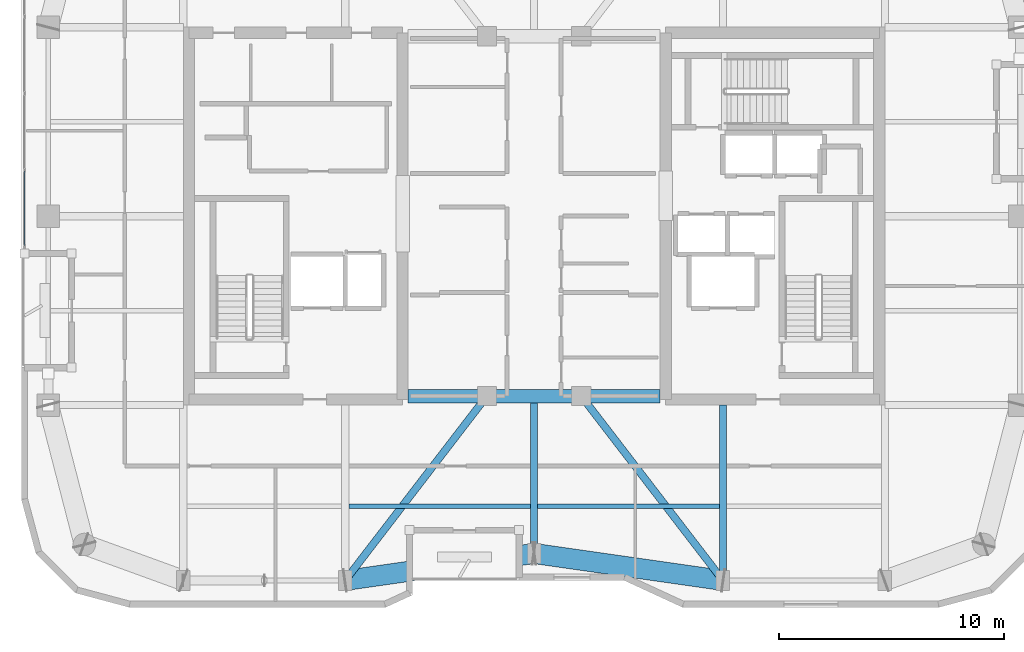
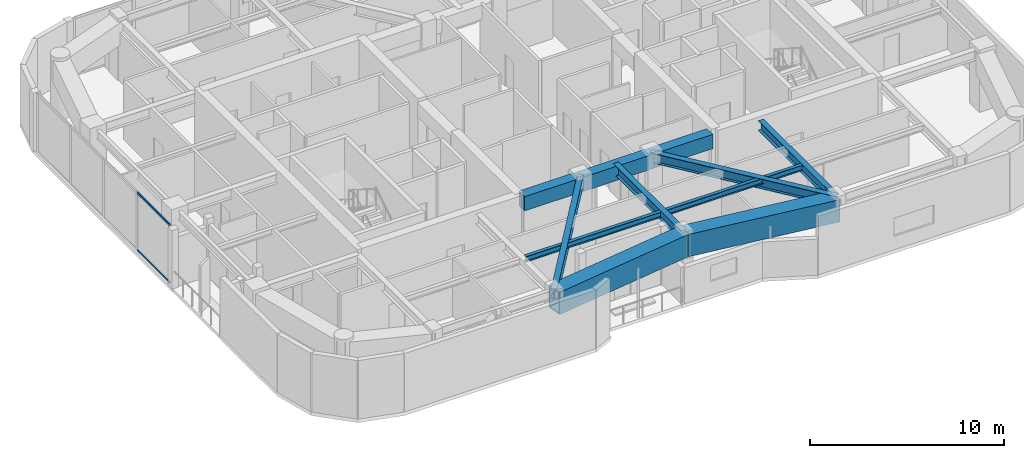
# One storey, part 3 of 15: 11 beams, 2 members, 1 element without a shape of its own.
"""IFC4 building model written with IfcOpenShell, lengths in metres."""

from ifc_helpers import new_model, si_unit, direction, frame, origin, origin_2d, place, context, subcontext, project, spatial, rectangle, hollow_rectangle, i_section, extrude, material, layer, layer_set, material_profile, profile_set, type_object, element, aggregate, save


model = new_model("IFC4")

# Units and contexts
model_context = context("Model", 3, precision=1e-05, world=origin(), true_north=direction((0.0, 1.0)))
body_context = subcontext(model_context, "Body", "Model", "MODEL_VIEW")
ifc_project = project(units=[si_unit("LENGTHUNIT", "METRE"), si_unit("AREAUNIT", "SQUARE_METRE"), si_unit("VOLUMEUNIT", "CUBIC_METRE"), si_unit("PLANEANGLEUNIT", "RADIAN"), si_unit("MASSUNIT", "GRAM", prefix="KILO")], contexts=[model_context])

# Site, building, storey
site_placement = place(None, origin())
site = spatial("IfcSite", under=ifc_project, at=site_placement, CompositionType="ELEMENT")
building_placement = place(site_placement, origin())
building = spatial("IfcBuilding", under=site, at=building_placement, Name="Kiyonajd Concourse Tower", CompositionType="ELEMENT")
storey_placement = place(building_placement, frame((0.0, 0.0, 266.699951171875)))
storey = spatial("IfcBuildingStorey", under=building, at=storey_placement, Name="L67", CompositionType="ELEMENT", Elevation=266.699951171875)

# Beams
ifc_material_1 = material(Name="Concrete C60/75", Category="concrete")
ifc_material_profile_1 = material_profile(ifc_material_1, rectangle(XDim=0.60009765625, YDim=0.89990234375, at=origin_2d()), Name="RCBM-600x900")
ifc_profile_set_1 = profile_set([ifc_material_profile_1], Name="Concrete C60/75")
beam_type_1 = type_object("IfcBeamType", Name="BM-COUP-900", PredefinedType="LINTEL", material=ifc_profile_set_1)
beam_1_placement = place(storey_placement, frame((42.39990234375, 28.0, 3.22998046875), z_axis=(1.0, 0.0, 0.0), x_axis=(0.0, 1.0, 0.0)))
element("IfcBeam", 1, at=beam_1_placement, inside=storey, type_object=beam_type_1, Name="L67 Core Coupling Beam S1", PredefinedType="LINTEL", context=body_context, shape_type="SweptSolid", body=[
    extrude(rectangle(XDim=0.60009765625, YDim=0.89990234375, at=origin_2d()), origin(), (0.0, 0.0, 1.0), 3.5),
])
beam_2_placement = place(storey_placement, frame((45.89990234375, 28.0, 3.22998046875), z_axis=(1.0, 0.0, 0.0), x_axis=(0.0, 1.0, 0.0)))
element("IfcBeam", 2, at=beam_2_placement, inside=storey, type_object=beam_type_1, Name="L67 Core Coupling Beam S2", PredefinedType="LINTEL", context=body_context, shape_type="SweptSolid", body=[
    extrude(rectangle(XDim=0.60009765625, YDim=0.89990234375, at=origin_2d()), origin(), (0.0, 0.0, 1.0), 4.2001953125),
])
beam_3_placement = place(storey_placement, frame((50.10009765625, 28.0, 3.22998046875), z_axis=(1.0, 0.0, 0.0), x_axis=(0.0, 1.0, 0.0)))
element("IfcBeam", 3, at=beam_3_placement, inside=storey, type_object=beam_type_1, Name="L67 Core Coupling Beam S3", PredefinedType="LINTEL", context=body_context, shape_type="SweptSolid", body=[
    extrude(rectangle(XDim=0.60009765625, YDim=0.89990234375, at=origin_2d()), origin(), (0.0, 0.0, 1.0), 3.5),
])
ifc_material_2 = material(Name="Steel ASTM A992 Grade 50", Category="steel")
ifc_material_profile_2 = material_profile(ifc_material_2, i_section(OverallWidth=0.205078125, OverallDepth=0.35400390625, WebThickness=0.009521484375, FlangeThickness=0.016845703125, at=origin_2d()), Name="W360X79")
ifc_profile_set_2 = profile_set([ifc_material_profile_2], Name="Steel ASTM A992 Grade 50")
beam_type_2 = type_object("IfcBeamType", Name="BM-JST-360", PredefinedType="JOIST", material=ifc_profile_set_2)
for number, where, z_axis, x_axis, name in (
    (4, (39.761962890625, 23.10009765625, 3.5029296875), (1.0, 0.0, 0.0), (0.0, 1.0, 0.0), "L67 Secondary Floor Joist"),
    (5, (48.162109375, 23.10009765625, 3.5029296875), (1.0, 0.0, 0.0), (0.0, 1.0, 0.0), "L67 Secondary Floor Joist"),
):
    element("IfcBeam", number, at=place(storey_placement, frame(where, z_axis=z_axis, x_axis=x_axis)), inside=storey, type_object=beam_type_2, Name=name, PredefinedType="JOIST", context=body_context, shape_type="SweptSolid", body=[
        extrude(i_section(OverallWidth=0.205078125, OverallDepth=0.35400390625, WebThickness=0.009521484375, FlangeThickness=0.016845703125, at=origin_2d()), origin(), (0.0, 0.0, 1.0), 8.075927734375),
    ])
ifc_material_profile_3 = material_profile(ifc_material_2, i_section(OverallWidth=0.326904296875, OverallDepth=0.6220703125, WebThickness=0.015380859375, FlangeThickness=0.0244140625, at=origin_2d()), Name="W610X195")
ifc_profile_set_3 = profile_set([ifc_material_profile_3], Name="Steel ASTM A992 Grade 50")
beam_type_3 = type_object("IfcBeamType", Name="BM-TWR-610A", PredefinedType="BEAM", material=ifc_profile_set_3)
for number, where, z_axis, x_axis, name in (
    (6, (39.60009765625, 19.800048828125, 3.369140625), (0.609233709922, 0.792990722956, 0.0), (-0.792990722956, 0.609233709922, 0.0), "L67 Core Tie Girder"),
    (7, (50.10009765625, 28.0, 3.369140625), (0.609233709922, -0.792990722956, 0.0), (0.792990722956, 0.609233709922, 0.0), "L67 Core Tie Girder"),
):
    element("IfcBeam", number, at=place(storey_placement, frame(where, z_axis=z_axis, x_axis=x_axis)), inside=storey, type_object=beam_type_3, Name=name, PredefinedType="BEAM", context=body_context, shape_type="SweptSolid", body=[
        extrude(i_section(OverallWidth=0.326904296875, OverallDepth=0.6220703125, WebThickness=0.015380859375, FlangeThickness=0.0244140625, at=origin_2d()), origin(), (0.0, 0.0, 1.0), 10.340576171875),
    ])
ifc_material_profile_4 = material_profile(ifc_material_2, i_section(OverallWidth=0.323974609375, OverallDepth=0.611083984375, WebThickness=0.0126953125, FlangeThickness=0.01904296875, at=origin_2d()), Name="W610X155")
ifc_profile_set_4 = profile_set([ifc_material_profile_4], Name="Steel ASTM A992 Grade 50")
beam_type_4 = type_object("IfcBeamType", Name="BM-TWR-610B", PredefinedType="BEAM", material=ifc_profile_set_4)
beam_4_placement = place(storey_placement, frame((56.39990234375, 19.800048828125, 3.37451171875), z_axis=(0.0, 1.0, 0.0), x_axis=(-1.0, 0.0, 0.0)))
element("IfcBeam", 8, at=beam_4_placement, inside=storey, type_object=beam_type_4, Name="L67 South Lease Girder", PredefinedType="BEAM", context=body_context, shape_type="SweptSolid", body=[
    extrude(i_section(OverallWidth=0.323974609375, OverallDepth=0.611083984375, WebThickness=0.0126953125, FlangeThickness=0.01904296875, at=origin_2d()), origin(), (0.0, 0.0, 1.0), 7.800048828125),
])
beam_5_placement = place(storey_placement, frame((48.0, 21.0, 3.37451171875), z_axis=(0.0, 1.0, 0.0), x_axis=(-1.0, 0.0, 0.0)))
element("IfcBeam", 9, at=beam_5_placement, inside=storey, type_object=beam_type_4, Name="L67 South Ribbon Girder", PredefinedType="BEAM", context=body_context, shape_type="SweptSolid", body=[
    extrude(i_section(OverallWidth=0.323974609375, OverallDepth=0.611083984375, WebThickness=0.0126953125, FlangeThickness=0.01904296875, at=origin_2d()), origin(), (0.0, 0.0, 1.0), 7.0),
])
ifc_material_3 = material(Name="Steel ASTM A572 Grade 50", Category="steel")
ifc_material_profile_5 = material_profile(ifc_material_3, hollow_rectangle(XDim=0.89990234375, YDim=1.39990234375, WallThickness=0.070068359375, at=origin_2d()), Name="BOX-1400x900x70")
ifc_profile_set_5 = profile_set([ifc_material_profile_5], Name="Steel ASTM A572 Grade 50")
beam_type_5 = type_object("IfcBeamType", Name="BM-XFER-1400", PredefinedType="BEAM", material=ifc_profile_set_5)
for number, where, z_axis, x_axis, name in (
    (10, (39.60009765625, 19.800048828125, 2.97998046875), (0.989950069105, 0.141417328072, 0.0), (-0.141417328072, 0.989950069105, 0.0), "L67 Perimeter Bundled Tube Spandrel"),
    (11, (48.0, 21.0, 2.97998046875), (0.989950069105, -0.141417328072, 0.0), (0.141417328072, 0.989950069105, 0.0), "L67 Perimeter Bundled Tube Spandrel"),
):
    element("IfcBeam", number, at=place(storey_placement, frame(where, z_axis=z_axis, x_axis=x_axis)), inside=storey, type_object=beam_type_5, Name=name, PredefinedType="BEAM", context=body_context, shape_type="SweptSolid", body=[
        extrude(hollow_rectangle(XDim=0.89990234375, YDim=1.39990234375, WallThickness=0.070068359375, at=origin_2d()), origin(), (0.0, 0.0, 1.0), 8.485107421875),
    ])

# Curtain wall, members
ifc_material_4 = material(Name="Thermally Broken Anodised Aluminium", Category="aluminium")
ifc_layer = layer(ifc_material_4, 0.179931640625)
ifc_layer_set = layer_set([ifc_layer], Name="Thermally Broken Anodised Aluminium")
curtain_wall_type = type_object("IfcCurtainWallType", Name="CW-SYS-04", PredefinedType="NOTDEFINED", material=ifc_layer_set)
curtain_wall_placement = place(storey_placement, origin())
curtain_wall = element("IfcCurtainWall", 12, at=curtain_wall_placement, inside=storey, type_object=curtain_wall_type, Name="L67 Unitised Curtain Wall CW4", PredefinedType="NOTDEFINED")
ifc_material_profile_6 = material_profile(ifc_material_4, hollow_rectangle(XDim=0.06494140625, YDim=0.139892578125, WallThickness=0.00390625, at=origin_2d()), Name="TRAN-65x140")
ifc_profile_set_6 = profile_set([ifc_material_profile_6], Name="Thermally Broken Anodised Aluminium")
member_type = type_object("IfcMemberType", Name="MB-CW-TRAN1", PredefinedType="USERDEFINED", material=ifc_profile_set_6)
member_1_placement = place(storey_placement, frame((25.340087890625, 34.695068359375, 0.032470703125), z_axis=(0.0, 1.0, 0.0), x_axis=(-1.0, 0.0, 0.0)))
member_1 = element("IfcMember", 13, at=member_1_placement, type_object=member_type, Name="CW4 transom 1.1", ObjectType="TRANSOM", PredefinedType="USERDEFINED", context=body_context, shape_type="SweptSolid", body=[
    extrude(hollow_rectangle(XDim=0.06494140625, YDim=0.139892578125, WallThickness=0.00390625, at=origin_2d()), origin(), (0.0, 0.0, 1.0), 3.31787109375),
])
member_2_placement = place(storey_placement, frame((25.340087890625, 34.695068359375, 3.6474609375), z_axis=(0.0, 1.0, 0.0), x_axis=(-1.0, 0.0, 0.0)))
member_2 = element("IfcMember", 14, at=member_2_placement, type_object=member_type, Name="CW4 transom 1.2", ObjectType="TRANSOM", PredefinedType="USERDEFINED", context=body_context, shape_type="SweptSolid", body=[
    extrude(hollow_rectangle(XDim=0.06494140625, YDim=0.139892578125, WallThickness=0.00390625, at=origin_2d()), origin(), (0.0, 0.0, 1.0), 3.31787109375),
])
aggregate(curtain_wall, [member_1, member_2])

save(model, "model.ifc")
